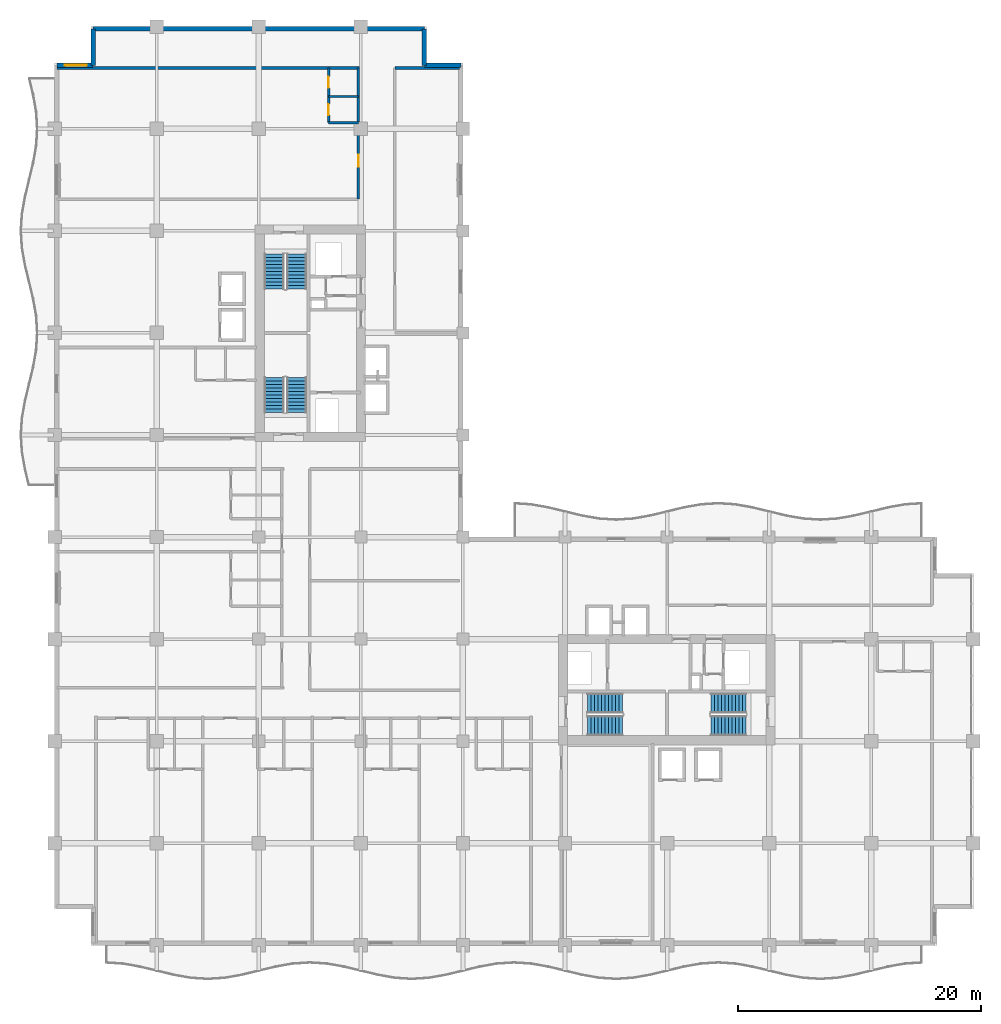
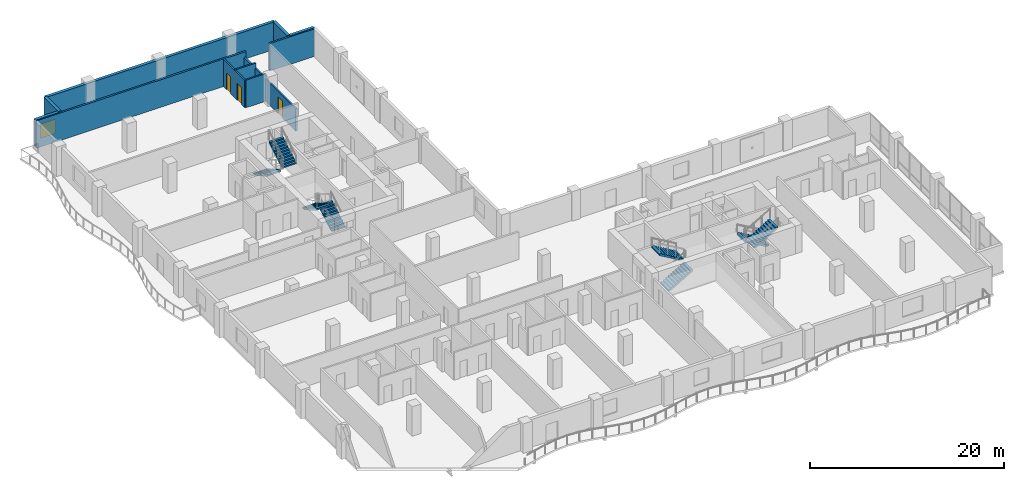
# One storey, part 15 of 22: 11 walls, 8 stair flights, 3 doors, 1 window, 4 openings, 4 elements without a shape of their own.
"""IFC4 building model written with IfcOpenShell, lengths in metres."""

from ifc_helpers import new_model, si_unit, direction, frame, frame_2d, origin, place, context, subcontext, project, spatial, polyline, rectangle, outline, extrude, material, layer, layer_set, type_object, element, fill, aggregate, save


model = new_model("IFC4")

# Units and contexts
model_context = context("Model", 3, precision=1e-05, world=origin(), true_north=direction((0.0, 1.0)))
body_context = subcontext(model_context, "Body", "Model", "MODEL_VIEW")
ifc_project = project(units=[si_unit("LENGTHUNIT", "METRE"), si_unit("AREAUNIT", "SQUARE_METRE"), si_unit("VOLUMEUNIT", "CUBIC_METRE"), si_unit("PLANEANGLEUNIT", "RADIAN"), si_unit("MASSUNIT", "GRAM", prefix="KILO")], contexts=[model_context])

# Site, building, storey
site_placement = place(None, origin())
site = spatial("IfcSite", under=ifc_project, at=site_placement, CompositionType="ELEMENT")
building_placement = place(site_placement, origin())
building = spatial("IfcBuilding", under=site, at=building_placement, Name="Koriwani Terraces Tower", CompositionType="ELEMENT")
storey_placement = place(building_placement, frame((0.0, 0.0, 168.0)))
storey = spatial("IfcBuildingStorey", under=building, at=storey_placement, Name="L40", CompositionType="ELEMENT", Elevation=168.0)

# Wall, opening, door
ifc_material_1 = material(Name="Autoclaved Cellular Concrete Blockwork", Category="masonry")
ifc_layer_1 = layer(ifc_material_1, 0.199951171875, Name="Autoclaved Cellular Concrete Blockwork")
ifc_layer_set_1 = layer_set([ifc_layer_1], Name="Autoclaved Cellular Concrete Blockwork")
wall_type_1 = type_object("IfcWallType", Name="WALL_CORRIDOR_200", PredefinedType="PARTITIONING", material=ifc_layer_set_1)
wall_1_placement = place(storey_placement, frame((25.0, 61.39990234375, 0.0), z_axis=(0.0, 0.0, 1.0), x_axis=(0.0, 1.0, 0.0)))
wall_1 = element("IfcWall", 1, at=wall_1_placement, inside=storey, type_object=wall_type_1, Name="L40 Interior Wall WRCOR-L40-NE-0", PredefinedType="PARTITIONING", context=body_context, shape_type="SweptSolid", body=[
    extrude(rectangle(XDim=10.800048828125, YDim=0.199951171875, at=frame_2d((5.39990234375, 0.0))), origin(), (0.0, 0.0, 1.0), 2.820068359375),
])
opening_1_placement = place(wall_1_placement, frame((2.669921875, 0.0, 0.0)))
opening_1 = element("IfcOpeningElement", 2, at=opening_1_placement, cuts=wall_1, Name="Opening D-05", PredefinedType="OPENING", context=body_context, shape_type="SweptSolid", body=[
    extrude(rectangle(XDim=1.0, YDim=2.14990234375, at=frame_2d((0.5, 1.074951171875))), frame((0.0, 0.10986328125, 0.0), z_axis=(0.0, -1.0, 0.0), x_axis=(1.0, 0.0, 0.0)), (0.0, 0.0, 1.0), 0.219970703125),
])
ifc_material_2 = material(Name="Architectural Oak Fire Door", Category="wood")
door_type_1 = type_object("IfcDoorType", Name="DOOR_SUITE_ENTRY_1000X2150", OperationType="NOTDEFINED", PredefinedType="DOOR", material=ifc_material_2)
door_1_placement = place(opening_1_placement, origin())
door_1 = element("IfcDoor", 3, at=door_1_placement, inside=storey, type_object=door_type_1, Name="Apartment 40NE1 Entrance Door", OperationType="SINGLE_SWING_RIGHT", OverallHeight=2.14990234375, OverallWidth=1.0, PredefinedType="DOOR", context=body_context, shape_type="SweptSolid", body=[
    extrude(rectangle(XDim=1.0, YDim=2.14990234375, at=frame_2d((0.5, 1.074951171875))), frame((0.0, 0.02490234375, 0.0), z_axis=(0.0, -1.0, 0.0), x_axis=(1.0, 0.0, 0.0)), (0.0, 0.0, 1.0), 0.050048828125),
])
fill(opening_1, door_1)

# Walls
ifc_layer_2 = layer(ifc_material_1, 0.219970703125, Name="Autoclaved Cellular Concrete Blockwork")
ifc_layer_set_2 = layer_set([ifc_layer_2], Name="Autoclaved Cellular Concrete Blockwork")
wall_type_2 = type_object("IfcWallType", Name="WALL_DEMISING_220", PredefinedType="PARTITIONING", material=ifc_layer_set_2)
wall_2_placement = place(storey_placement, frame((0.199951171875, 72.199951171875, 0.0), z_axis=(0.0, 0.0, 1.0), x_axis=(1.0, 0.0, 0.0)))
element("IfcWall", 4, at=wall_2_placement, inside=storey, type_object=wall_type_2, Name="L40 Interior Wall WRDEME-L40-NE", PredefinedType="PARTITIONING", context=body_context, shape_type="SweptSolid", body=[
    extrude(rectangle(XDim=24.97998046875, YDim=0.219970703125, at=frame_2d((12.489990234375, 0.0))), origin(), (0.0, 0.0, 1.0), 3.469970703125),
])
wall_3_placement = place(storey_placement, frame((28.0, 72.199951171875, 0.0), z_axis=(0.0, 0.0, 1.0), x_axis=(1.0, 0.0, 0.0)))
element("IfcWall", 5, at=wall_3_placement, inside=storey, type_object=wall_type_2, Name="L40 Interior Wall WNEC-N-L40", PredefinedType="PARTITIONING", context=body_context, shape_type="SweptSolid", body=[
    extrude(rectangle(XDim=5.300048828125, YDim=0.219970703125, at=frame_2d((2.64990234375, 0.0))), origin(), (0.0, 0.0, 1.0), 3.469970703125),
])

# Wall, opening, window
ifc_material_3 = material(Name="Concrete C50/60", Category="concrete")
ifc_layer_3 = layer(ifc_material_3, 0.35009765625, Name="Concrete C50/60")
ifc_layer_set_3 = layer_set([ifc_layer_3], Name="Concrete C50/60")
wall_type_3 = type_object("IfcWallType", Name="WALL_EXT_BRUTALIST_350", PredefinedType="STANDARD", material=ifc_layer_set_3)
wall_4_placement = place(storey_placement, frame((0.175048828125, 72.425048828125, 0.0), z_axis=(0.0, 0.0, 1.0), x_axis=(1.0, 0.0, 0.0)))
wall_4 = element("IfcWall", 6, at=wall_4_placement, inside=storey, type_object=wall_type_3, Name="L40 Fair-Faced Brutalist Exterior Wall (N3)", PredefinedType="STANDARD", context=body_context, shape_type="SweptSolid", body=[
    extrude(rectangle(XDim=3.0, YDim=0.35009765625, at=frame_2d((1.5, 0.0))), origin(), (0.0, 0.0, 1.0), 3.469970703125),
])
opening_2_placement = place(wall_4_placement, frame((0.677490234375, 0.0, 0.85009765625)))
opening_2 = element("IfcOpeningElement", 7, at=opening_2_placement, cuts=wall_4, Name="Opening W-04", PredefinedType="OPENING", context=body_context, shape_type="SweptSolid", body=[
    extrude(rectangle(XDim=1.800048828125, YDim=1.800048828125, at=frame_2d((0.89990234375, 0.89990234375))), frame((0.0, 0.18505859375, 0.0), z_axis=(0.0, -1.0, 0.0), x_axis=(1.0, 0.0, 0.0)), (0.0, 0.0, 1.0), 0.3701171875),
])
ifc_material_4 = material(Name="Tempered Laminated Low-E Glass", Category="glass")
window_type = type_object("IfcWindowType", Name="WIN_RES_BED_1800X1800", PartitioningType="DOUBLE_PANEL_VERTICAL", PredefinedType="WINDOW", material=ifc_material_4)
window_placement = place(opening_2_placement, origin())
window = element("IfcWindow", 8, at=window_placement, inside=storey, type_object=window_type, Name="L40 Exterior Window (N3-R53)", OverallHeight=1.800048828125, OverallWidth=1.800048828125, PartitioningType="SINGLE_PANEL", PredefinedType="WINDOW", context=body_context, shape_type="SweptSolid", body=[
    extrude(rectangle(XDim=1.800048828125, YDim=1.800048828125, at=frame_2d((0.89990234375, 0.89990234375))), frame((0.0, 0.030029296875, 0.0), z_axis=(0.0, -1.0, 0.0), x_axis=(1.0, 0.0, 0.0)), (0.0, 0.0, 1.0), 0.06005859375),
])
fill(opening_2, window)

# Walls
wall_5_placement = place(storey_placement, frame((3.175048828125, 72.425048828125, 0.0), z_axis=(0.0, 0.0, 1.0), x_axis=(0.0, 1.0, 0.0)))
element("IfcWall", 9, at=wall_5_placement, inside=storey, type_object=wall_type_3, Name="L40 Fair-Faced Brutalist Exterior Wall (N4)", PredefinedType="STANDARD", context=body_context, shape_type="SweptSolid", body=[
    extrude(rectangle(XDim=3.0, YDim=0.35009765625, at=frame_2d((1.5, 0.0))), origin(), (0.0, 0.0, 1.0), 3.469970703125),
])
wall_6_placement = place(storey_placement, frame((3.175048828125, 75.425048828125, 0.0), z_axis=(0.0, 0.0, 1.0), x_axis=(1.0, 0.0, 0.0)))
element("IfcWall", 10, at=wall_6_placement, inside=storey, type_object=wall_type_3, Name="L40 Fair-Faced Brutalist Exterior Wall (N_TIP)", PredefinedType="STANDARD", context=body_context, shape_type="SweptSolid", body=[
    extrude(rectangle(XDim=27.25, YDim=0.35009765625, at=frame_2d((13.625, 0.0))), origin(), (0.0, 0.0, 1.0), 3.469970703125),
])
for number, where, z_axis, x_axis, name in (
    (11, (30.425048828125, 75.425048828125, 0.0), (0.0, 0.0, 1.0), (0.0, -1.0, 0.0), "L40 Fair-Faced Brutalist Exterior Wall (N6)"),
    (12, (30.425048828125, 72.425048828125, 0.0), (0.0, 0.0, 1.0), (1.0, 0.0, 0.0), "L40 Fair-Faced Brutalist Exterior Wall (N7)"),
):
    element("IfcWall", number, at=place(storey_placement, frame(where, z_axis=z_axis, x_axis=x_axis)), inside=storey, type_object=wall_type_3, Name=name, PredefinedType="STANDARD", context=body_context, shape_type="SweptSolid", body=[
        extrude(rectangle(XDim=3.0, YDim=0.35009765625, at=frame_2d((1.5, 0.0))), origin(), (0.0, 0.0, 1.0), 3.469970703125),
    ])

# Wall, openings, doors
ifc_material_5 = material(Name="Fire-Rated Acoustic Gypsum Partition", Category="masonry")
ifc_layer_4 = layer(ifc_material_5, 0.179931640625, Name="Fire-Rated Acoustic Gypsum Partition")
ifc_layer_set_4 = layer_set([ifc_layer_4], Name="Fire-Rated Acoustic Gypsum Partition")
wall_type_4 = type_object("IfcWallType", Name="WALL_PLUMBING_180", PredefinedType="PLUMBINGWALL", material=ifc_layer_set_4)
wall_7_placement = place(storey_placement, frame((22.550048828125, 67.699951171875, 0.0), z_axis=(0.0, 0.0, 1.0), x_axis=(0.0, 1.0, 0.0)))
wall_7 = element("IfcWall", 13, at=wall_7_placement, inside=storey, type_object=wall_type_4, Name="L40 Interior Wall WRSVC-L40-NE-0", PredefinedType="PLUMBINGWALL", context=body_context, shape_type="SweptSolid", body=[
    extrude(rectangle(XDim=4.5, YDim=0.179931640625, at=frame_2d((2.25, 0.0))), origin(), (0.0, 0.0, 1.0), 3.469970703125),
])
opening_3_placement = place(wall_7_placement, frame((0.6298828125, 0.0, 0.0)))
opening_3 = element("IfcOpeningElement", 14, at=opening_3_placement, cuts=wall_7, Name="Opening D-07", PredefinedType="OPENING", context=body_context, shape_type="SweptSolid", body=[
    extrude(rectangle(XDim=0.89990234375, YDim=2.10009765625, at=frame_2d((0.449951171875, 1.050048828125))), frame((0.0, 0.10009765625, 0.0), z_axis=(0.0, -1.0, 0.0), x_axis=(1.0, 0.0, 0.0)), (0.0, 0.0, 1.0), 0.199951171875),
])
opening_4_placement = place(wall_7_placement, frame((2.8701171875, 0.0, 0.0)))
opening_4 = element("IfcOpeningElement", 15, at=opening_4_placement, cuts=wall_7, Name="Opening D-06", PredefinedType="OPENING", context=body_context, shape_type="SweptSolid", body=[
    extrude(rectangle(XDim=0.919921875, YDim=2.10009765625, at=frame_2d((0.4599609375, 1.050048828125))), frame((0.0, 0.10009765625, 0.0), z_axis=(0.0, -1.0, 0.0), x_axis=(1.0, 0.0, 0.0)), (0.0, 0.0, 1.0), 0.199951171875),
])
door_type_2 = type_object("IfcDoorType", Name="DOOR_BATH_INT_900X2100", OperationType="NOTDEFINED", PredefinedType="DOOR", material=ifc_material_2)
door_2_placement = place(opening_3_placement, origin())
door_2 = element("IfcDoor", 16, at=door_2_placement, inside=storey, type_object=door_type_2, Name="Apartment 40NE1 Bathroom Door", OperationType="SINGLE_SWING_LEFT", OverallHeight=2.10009765625, OverallWidth=0.89990234375, PredefinedType="DOOR", context=body_context, shape_type="SweptSolid", body=[
    extrude(rectangle(XDim=0.89990234375, YDim=2.10009765625, at=frame_2d((0.449951171875, 1.050048828125))), frame((0.0, 0.02490234375, 0.0), z_axis=(0.0, -1.0, 0.0), x_axis=(1.0, 0.0, 0.0)), (0.0, 0.0, 1.0), 0.050048828125),
])
fill(opening_3, door_2)
door_type_3 = type_object("IfcDoorType", Name="DOOR_ROOM_INT_920X2100", OperationType="NOTDEFINED", PredefinedType="DOOR", material=ifc_material_2)
door_3_placement = place(opening_4_placement, origin())
door_3 = element("IfcDoor", 17, at=door_3_placement, inside=storey, type_object=door_type_3, Name="Apartment 40NE1 Kitchen Door", OperationType="SINGLE_SWING_RIGHT", OverallHeight=2.10009765625, OverallWidth=0.919921875, PredefinedType="DOOR", context=body_context, shape_type="SweptSolid", body=[
    extrude(rectangle(XDim=0.919921875, YDim=2.10009765625, at=frame_2d((0.4599609375, 1.050048828125))), frame((0.0, 0.02490234375, 0.0), z_axis=(0.0, -1.0, 0.0), x_axis=(1.0, 0.0, 0.0)), (0.0, 0.0, 1.0), 0.050048828125),
])
fill(opening_4, door_3)

# Walls
for number, where, z_axis, x_axis, name in (
    (18, (22.550048828125, 67.699951171875, 0.0), (0.0, 0.0, 1.0), (1.0, 0.0, 0.0), "L40 Interior Wall WRSVCS-L40-NE-0"),
    (19, (22.550048828125, 69.860107421875, 0.0), (0.0, 0.0, 1.0), (1.0, 0.0, 0.0), "L40 Interior Wall WRSVCM-L40-NE-0"),
):
    element("IfcWall", number, at=place(storey_placement, frame(where, z_axis=z_axis, x_axis=x_axis)), inside=storey, type_object=wall_type_4, Name=name, PredefinedType="PLUMBINGWALL", context=body_context, shape_type="SweptSolid", body=[
        extrude(rectangle(XDim=2.449951171875, YDim=0.179931640625, at=frame_2d((1.22509765625, 0.0))), origin(), (0.0, 0.0, 1.0), 3.469970703125),
    ])

# Stair, stair flights
ifc_material_6 = material(Name="Concrete C40/50", Category="concrete")
stair_type = type_object("IfcStairType", Name="STAIR_CORE_DOGLEG_1650", PredefinedType="TWO_STRAIGHT_RUN_STAIR", material=ifc_material_6)
stair_1_placement = place(storey_placement, origin())
stair_1 = element("IfcStair", 20, at=stair_1_placement, inside=storey, type_object=stair_type, Name="L40 West Core Exit Stair 1", PredefinedType="HALF_TURN_STAIR")
stair_flight_type = type_object("IfcStairFlightType", Name="STAIR_FLIGHT_RC_1650", PredefinedType="STRAIGHT", material=ifc_material_6)
stair_flight_1_placement = place(storey_placement, frame((19.925048828125, 43.85009765625, 0.0), z_axis=(0.0, 0.0, 1.0), x_axis=(0.0, 1.0, 0.0)))
stair_flight_1 = element("IfcStairFlight", 21, at=stair_flight_1_placement, type_object=stair_flight_type, Name="ST-W1 flight 1", NumberOfRisers=11, NumberOfTreads=10, PredefinedType="STRAIGHT", RiserHeight=0.168181818, TreadLength=0.29, context=body_context, shape_type="SweptSolid", body=[
    extrude(outline(polyline([(0.0, 0.0), (0.0, 0.168212890625), (0.2900390625, 0.168212890625), (0.2900390625, 0.33642578125), (0.580078125, 0.33642578125), (0.580078125, 0.504638671875), (0.8701171875, 0.504638671875), (0.8701171875, 0.672607421875), (1.159912109375, 0.672607421875), (1.159912109375, 0.8408203125), (1.449951171875, 0.8408203125), (1.449951171875, 1.009033203125), (1.739990234375, 1.009033203125), (1.739990234375, 1.17724609375), (2.030029296875, 1.17724609375), (2.030029296875, 1.345458984375), (2.320068359375, 1.345458984375), (2.320068359375, 1.513671875), (2.610107421875, 1.513671875), (2.610107421875, 1.681884765625), (2.89990234375, 1.681884765625), (2.89990234375, 1.85009765625), (2.89990234375, 1.473876953125), (0.358642578125, 0.0), (0.0, 0.0)])), frame((0.0, 0.824951171875, 0.0), z_axis=(0.0, -1.0, 0.0), x_axis=(1.0, 0.0, 0.0)), (0.0, 0.0, 1.0), 1.64990234375),
])
stair_flight_2_placement = place(storey_placement, frame((18.074951171875, 46.75, 1.85009765625), z_axis=(0.0, 0.0, 1.0), x_axis=(0.0, -1.0, 0.0)))
stair_flight_2 = element("IfcStairFlight", 22, at=stair_flight_2_placement, type_object=stair_flight_type, Name="ST-W1 flight 2", NumberOfRisers=11, NumberOfTreads=10, PredefinedType="STRAIGHT", RiserHeight=0.168181818, TreadLength=0.29, context=body_context, shape_type="SweptSolid", body=[
    extrude(outline(polyline([(0.0, 0.0), (0.0, 0.168212890625), (0.2900390625, 0.168212890625), (0.2900390625, 0.33642578125), (0.580078125, 0.33642578125), (0.580078125, 0.504638671875), (0.8701171875, 0.504638671875), (0.8701171875, 0.672607421875), (1.159912109375, 0.672607421875), (1.159912109375, 0.8408203125), (1.449951171875, 0.8408203125), (1.449951171875, 1.009033203125), (1.739990234375, 1.009033203125), (1.739990234375, 1.17724609375), (2.030029296875, 1.17724609375), (2.030029296875, 1.345458984375), (2.320068359375, 1.345458984375), (2.320068359375, 1.513671875), (2.610107421875, 1.513671875), (2.610107421875, 1.681884765625), (2.89990234375, 1.681884765625), (2.89990234375, 1.85009765625), (2.89990234375, 1.473876953125), (0.358642578125, 0.0), (0.0, 0.0)])), frame((0.0, 0.824951171875, 0.0), z_axis=(0.0, -1.0, 0.0), x_axis=(1.0, 0.0, 0.0)), (0.0, 0.0, 1.0), 1.64990234375),
])
aggregate(stair_1, [stair_flight_1, stair_flight_2])

stair_2_placement = place(storey_placement, origin())
stair_2 = element("IfcStair", 23, at=stair_2_placement, inside=storey, type_object=stair_type, Name="L40 West Core Exit Stair 2", PredefinedType="HALF_TURN_STAIR")
stair_flight_3_placement = place(storey_placement, frame((18.074951171875, 56.89990234375, 0.0), z_axis=(0.0, 0.0, 1.0), x_axis=(0.0, -1.0, 0.0)))
stair_flight_3 = element("IfcStairFlight", 24, at=stair_flight_3_placement, type_object=stair_flight_type, Name="ST-W2 flight 1", NumberOfRisers=11, NumberOfTreads=10, PredefinedType="STRAIGHT", RiserHeight=0.168181818, TreadLength=0.29, context=body_context, shape_type="SweptSolid", body=[
    extrude(outline(polyline([(0.0, 0.0), (0.0, 0.168212890625), (0.2900390625, 0.168212890625), (0.2900390625, 0.33642578125), (0.580078125, 0.33642578125), (0.580078125, 0.504638671875), (0.8701171875, 0.504638671875), (0.8701171875, 0.672607421875), (1.159912109375, 0.672607421875), (1.159912109375, 0.8408203125), (1.449951171875, 0.8408203125), (1.449951171875, 1.009033203125), (1.739990234375, 1.009033203125), (1.739990234375, 1.17724609375), (2.030029296875, 1.17724609375), (2.030029296875, 1.345458984375), (2.320068359375, 1.345458984375), (2.320068359375, 1.513671875), (2.610107421875, 1.513671875), (2.610107421875, 1.681884765625), (2.89990234375, 1.681884765625), (2.89990234375, 1.85009765625), (2.89990234375, 1.473876953125), (0.358642578125, 0.0), (0.0, 0.0)])), frame((0.0, 0.824951171875, 0.0), z_axis=(0.0, -1.0, 0.0), x_axis=(1.0, 0.0, 0.0)), (0.0, 0.0, 1.0), 1.64990234375),
])
stair_flight_4_placement = place(storey_placement, frame((19.925048828125, 54.0, 1.85009765625), z_axis=(0.0, 0.0, 1.0), x_axis=(0.0, 1.0, 0.0)))
stair_flight_4 = element("IfcStairFlight", 25, at=stair_flight_4_placement, type_object=stair_flight_type, Name="ST-W2 flight 2", NumberOfRisers=11, NumberOfTreads=10, PredefinedType="STRAIGHT", RiserHeight=0.168181818, TreadLength=0.29, context=body_context, shape_type="SweptSolid", body=[
    extrude(outline(polyline([(0.0, 0.0), (0.0, 0.168212890625), (0.2900390625, 0.168212890625), (0.2900390625, 0.33642578125), (0.580078125, 0.33642578125), (0.580078125, 0.504638671875), (0.8701171875, 0.504638671875), (0.8701171875, 0.672607421875), (1.159912109375, 0.672607421875), (1.159912109375, 0.8408203125), (1.449951171875, 0.8408203125), (1.449951171875, 1.009033203125), (1.739990234375, 1.009033203125), (1.739990234375, 1.17724609375), (2.030029296875, 1.17724609375), (2.030029296875, 1.345458984375), (2.320068359375, 1.345458984375), (2.320068359375, 1.513671875), (2.610107421875, 1.513671875), (2.610107421875, 1.681884765625), (2.89990234375, 1.681884765625), (2.89990234375, 1.85009765625), (2.89990234375, 1.473876953125), (0.358642578125, 0.0), (0.0, 0.0)])), frame((0.0, 0.824951171875, 0.0), z_axis=(0.0, -1.0, 0.0), x_axis=(1.0, 0.0, 0.0)), (0.0, 0.0, 1.0), 1.64990234375),
])
aggregate(stair_2, [stair_flight_3, stair_flight_4])

stair_3_placement = place(storey_placement, origin())
stair_3 = element("IfcStair", 26, at=stair_3_placement, inside=storey, type_object=stair_type, Name="L40 East Core Exit Stair 1", PredefinedType="HALF_TURN_STAIR")
stair_flight_5_placement = place(storey_placement, frame((43.85009765625, 18.074951171875, 0.0), z_axis=(0.0, 0.0, 1.0), x_axis=(1.0, 0.0, 0.0)))
stair_flight_5 = element("IfcStairFlight", 27, at=stair_flight_5_placement, type_object=stair_flight_type, Name="ST-E1 flight 1", NumberOfRisers=11, NumberOfTreads=10, PredefinedType="STRAIGHT", RiserHeight=0.168181818, TreadLength=0.29, context=body_context, shape_type="SweptSolid", body=[
    extrude(outline(polyline([(0.0, 0.0), (0.0, 0.168212890625), (0.2900390625, 0.168212890625), (0.2900390625, 0.33642578125), (0.580078125, 0.33642578125), (0.580078125, 0.504638671875), (0.8701171875, 0.504638671875), (0.8701171875, 0.672607421875), (1.159912109375, 0.672607421875), (1.159912109375, 0.8408203125), (1.449951171875, 0.8408203125), (1.449951171875, 1.009033203125), (1.739990234375, 1.009033203125), (1.739990234375, 1.17724609375), (2.030029296875, 1.17724609375), (2.030029296875, 1.345458984375), (2.320068359375, 1.345458984375), (2.320068359375, 1.513671875), (2.610107421875, 1.513671875), (2.610107421875, 1.681884765625), (2.89990234375, 1.681884765625), (2.89990234375, 1.85009765625), (2.89990234375, 1.473876953125), (0.358642578125, 0.0), (0.0, 0.0)])), frame((0.0, 0.824951171875, 0.0), z_axis=(0.0, -1.0, 0.0), x_axis=(1.0, 0.0, 0.0)), (0.0, 0.0, 1.0), 1.64990234375),
])
stair_flight_6_placement = place(storey_placement, frame((46.75, 19.925048828125, 1.85009765625), z_axis=(0.0, 0.0, 1.0), x_axis=(-1.0, 0.0, 0.0)))
stair_flight_6 = element("IfcStairFlight", 28, at=stair_flight_6_placement, type_object=stair_flight_type, Name="ST-E1 flight 2", NumberOfRisers=11, NumberOfTreads=10, PredefinedType="STRAIGHT", RiserHeight=0.168181818, TreadLength=0.29, context=body_context, shape_type="SweptSolid", body=[
    extrude(outline(polyline([(0.0, 0.0), (0.0, 0.168212890625), (0.2900390625, 0.168212890625), (0.2900390625, 0.33642578125), (0.580078125, 0.33642578125), (0.580078125, 0.504638671875), (0.8701171875, 0.504638671875), (0.8701171875, 0.672607421875), (1.159912109375, 0.672607421875), (1.159912109375, 0.8408203125), (1.449951171875, 0.8408203125), (1.449951171875, 1.009033203125), (1.739990234375, 1.009033203125), (1.739990234375, 1.17724609375), (2.030029296875, 1.17724609375), (2.030029296875, 1.345458984375), (2.320068359375, 1.345458984375), (2.320068359375, 1.513671875), (2.610107421875, 1.513671875), (2.610107421875, 1.681884765625), (2.89990234375, 1.681884765625), (2.89990234375, 1.85009765625), (2.89990234375, 1.473876953125), (0.358642578125, 0.0), (0.0, 0.0)])), frame((0.0, 0.824951171875, 0.0), z_axis=(0.0, -1.0, 0.0), x_axis=(1.0, 0.0, 0.0)), (0.0, 0.0, 1.0), 1.64990234375),
])
aggregate(stair_3, [stair_flight_5, stair_flight_6])

stair_4_placement = place(storey_placement, origin())
stair_4 = element("IfcStair", 29, at=stair_4_placement, inside=storey, type_object=stair_type, Name="L40 East Core Exit Stair 2", PredefinedType="HALF_TURN_STAIR")
stair_flight_7_placement = place(storey_placement, frame((56.89990234375, 19.925048828125, 0.0), z_axis=(0.0, 0.0, 1.0), x_axis=(-1.0, 0.0, 0.0)))
stair_flight_7 = element("IfcStairFlight", 30, at=stair_flight_7_placement, type_object=stair_flight_type, Name="ST-E2 flight 1", NumberOfRisers=11, NumberOfTreads=10, PredefinedType="STRAIGHT", RiserHeight=0.168181818, TreadLength=0.29, context=body_context, shape_type="SweptSolid", body=[
    extrude(outline(polyline([(0.0, 0.0), (0.0, 0.168212890625), (0.2900390625, 0.168212890625), (0.2900390625, 0.33642578125), (0.580078125, 0.33642578125), (0.580078125, 0.504638671875), (0.8701171875, 0.504638671875), (0.8701171875, 0.672607421875), (1.159912109375, 0.672607421875), (1.159912109375, 0.8408203125), (1.449951171875, 0.8408203125), (1.449951171875, 1.009033203125), (1.739990234375, 1.009033203125), (1.739990234375, 1.17724609375), (2.030029296875, 1.17724609375), (2.030029296875, 1.345458984375), (2.320068359375, 1.345458984375), (2.320068359375, 1.513671875), (2.610107421875, 1.513671875), (2.610107421875, 1.681884765625), (2.89990234375, 1.681884765625), (2.89990234375, 1.85009765625), (2.89990234375, 1.473876953125), (0.358642578125, 0.0), (0.0, 0.0)])), frame((0.0, 0.824951171875, 0.0), z_axis=(0.0, -1.0, 0.0), x_axis=(1.0, 0.0, 0.0)), (0.0, 0.0, 1.0), 1.64990234375),
])
stair_flight_8_placement = place(storey_placement, frame((54.0, 18.074951171875, 1.85009765625), z_axis=(0.0, 0.0, 1.0), x_axis=(1.0, 0.0, 0.0)))
stair_flight_8 = element("IfcStairFlight", 31, at=stair_flight_8_placement, type_object=stair_flight_type, Name="ST-E2 flight 2", NumberOfRisers=11, NumberOfTreads=10, PredefinedType="STRAIGHT", RiserHeight=0.168181818, TreadLength=0.29, context=body_context, shape_type="SweptSolid", body=[
    extrude(outline(polyline([(0.0, 0.0), (0.0, 0.168212890625), (0.2900390625, 0.168212890625), (0.2900390625, 0.33642578125), (0.580078125, 0.33642578125), (0.580078125, 0.504638671875), (0.8701171875, 0.504638671875), (0.8701171875, 0.672607421875), (1.159912109375, 0.672607421875), (1.159912109375, 0.8408203125), (1.449951171875, 0.8408203125), (1.449951171875, 1.009033203125), (1.739990234375, 1.009033203125), (1.739990234375, 1.17724609375), (2.030029296875, 1.17724609375), (2.030029296875, 1.345458984375), (2.320068359375, 1.345458984375), (2.320068359375, 1.513671875), (2.610107421875, 1.513671875), (2.610107421875, 1.681884765625), (2.89990234375, 1.681884765625), (2.89990234375, 1.85009765625), (2.89990234375, 1.473876953125), (0.358642578125, 0.0), (0.0, 0.0)])), frame((0.0, 0.824951171875, 0.0), z_axis=(0.0, -1.0, 0.0), x_axis=(1.0, 0.0, 0.0)), (0.0, 0.0, 1.0), 1.64990234375),
])
aggregate(stair_4, [stair_flight_7, stair_flight_8])

save(model, "model.ifc")
